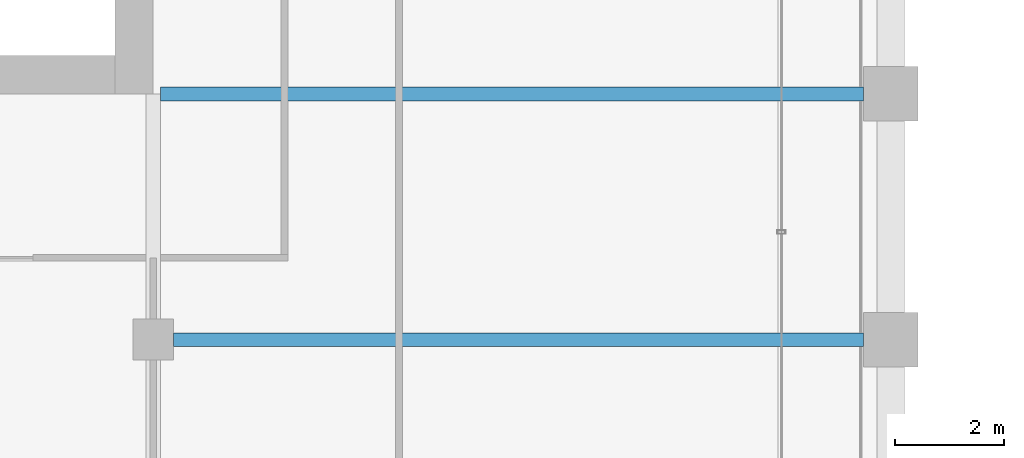
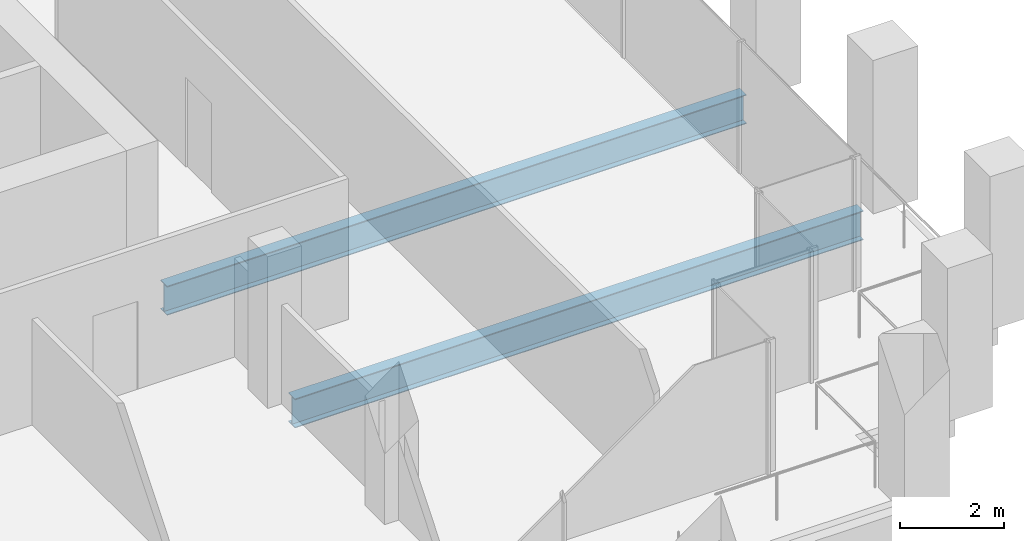
# One storey, part 14 of 45: 2 beams.
"""IFC4 building model written with IfcOpenShell, lengths in metres."""

from ifc_helpers import new_model, si_unit, direction, frame, origin, origin_2d, place, context, subcontext, project, spatial, i_section, extrude, material, material_profile, profile_set, type_object, element, save


model = new_model("IFC4")

# Units and contexts
model_context = context("Model", 3, precision=1e-05, world=origin(), true_north=direction((0.0, 1.0)))
body_context = subcontext(model_context, "Body", "Model", "MODEL_VIEW")
ifc_project = project(units=[si_unit("LENGTHUNIT", "METRE"), si_unit("AREAUNIT", "SQUARE_METRE"), si_unit("VOLUMEUNIT", "CUBIC_METRE"), si_unit("PLANEANGLEUNIT", "RADIAN"), si_unit("MASSUNIT", "GRAM", prefix="KILO")], contexts=[model_context])

# Site, building, storey
site_placement = place(None, origin())
site = spatial("IfcSite", under=ifc_project, at=site_placement, CompositionType="ELEMENT")
building_placement = place(site_placement, origin())
building = spatial("IfcBuilding", under=site, at=building_placement, Name="Altepetl Exchange Towers", CompositionType="ELEMENT")
storey_placement = place(building_placement, frame((0.0, 0.0, 110.0)))
storey = spatial("IfcBuildingStorey", under=building, at=storey_placement, Name="L27", CompositionType="ELEMENT", Elevation=110.0)

# Beams
ifc_material = material(Name="Steel S355", Category="steel")
ifc_material_profile = material_profile(ifc_material, i_section(OverallWidth=0.25390625, OverallDepth=0.68408203125, WebThickness=0.012451171875, FlangeThickness=0.018798828125, at=origin_2d()), Name="W27X94")
ifc_profile_set = profile_set([ifc_material_profile], Name="Steel S355")
beam_type = type_object("IfcBeamType", Name="Floor beam W27X94", PredefinedType="BEAM", material=ifc_profile_set)
beam_1_placement = place(storey_placement, frame((58.875, 36.0, -0.491943359375), z_axis=(1.0, 0.0, 0.0), x_axis=(0.0, 1.0, 0.0)))
element("IfcBeam", 1, at=beam_1_placement, inside=storey, type_object=beam_type, Name="bm:A:L27:007", PredefinedType="BEAM", context=body_context, shape_type="SweptSolid", body=[
    extrude(i_section(OverallWidth=0.25390625, OverallDepth=0.68408203125, WebThickness=0.012451171875, FlangeThickness=0.018798828125, at=origin_2d()), origin(), (0.0, 0.0, 1.0), 12.625),
])
beam_2_placement = place(storey_placement, frame((58.634033203125, 40.5, -0.491943359375), z_axis=(1.0, 0.0, 0.0), x_axis=(0.0, 1.0, 0.0)))
element("IfcBeam", 2, at=beam_2_placement, inside=storey, type_object=beam_type, Name="bm:A:L27:008", PredefinedType="BEAM", context=body_context, shape_type="SweptSolid", body=[
    extrude(i_section(OverallWidth=0.25390625, OverallDepth=0.68408203125, WebThickness=0.012451171875, FlangeThickness=0.018798828125, at=origin_2d()), origin(), (0.0, 0.0, 1.0), 12.865966796875),
])

save(model, "model.ifc")
